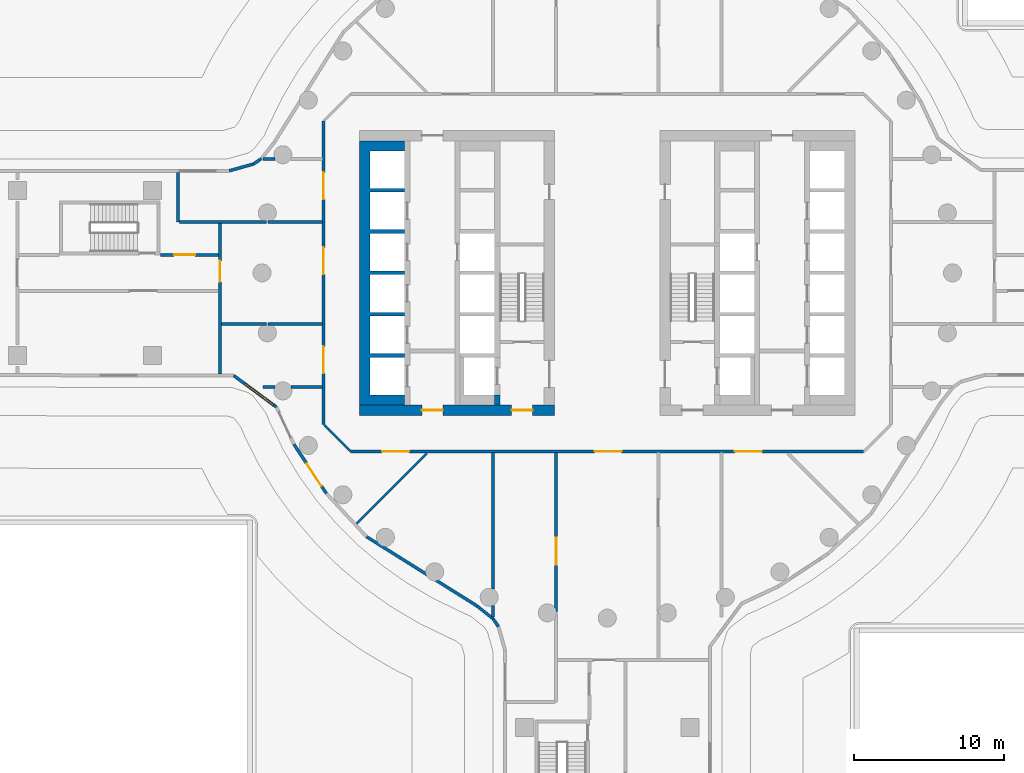
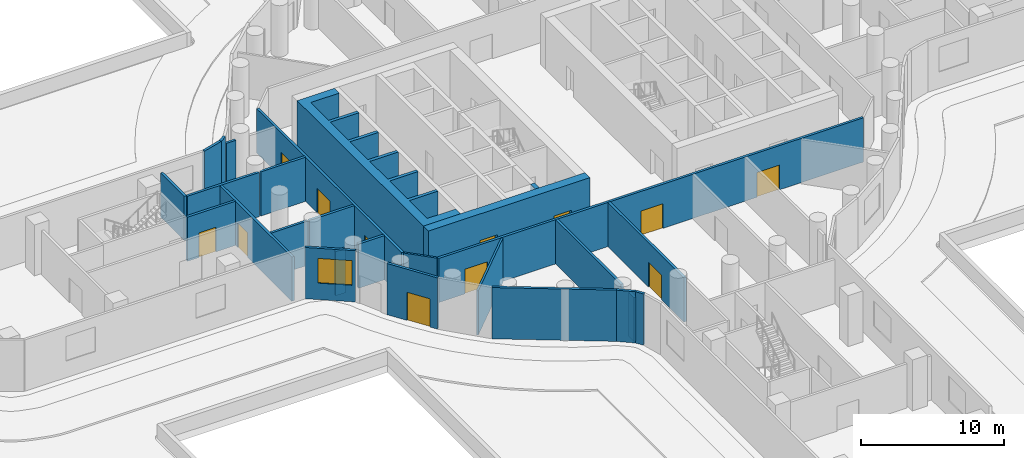
# One storey, part 23 of 37: 27 walls, 12 doors, 1 window, 13 openings.
"""IFC4 building model written with IfcOpenShell, lengths in metres."""

import ifcopenshell
import ifcopenshell.guid

model = None  # the IFC model being written
_history = None  # IfcOwnerHistory: only IFC2X3 demands one
_inside = {}  # id of a spatial element -> (the spatial element, [elements in it])
_under = {}  # id of a project, library or spatial element -> (it, [spatial elements below it])
_declared = {}  # id of a project -> (the project, [libraries it declares])
_typed = {}  # id of a type object -> (the type object, [elements of that type])
_made_of = {}  # id of a material, layer set ... -> (it, [elements and type objects made of it])


def new_model(schema):
    """Start an empty IFC model of exactly this schema.

    Asked for "IFC4X3", IfcOpenShell would pick the latest addendum, in which some entities
    have other attributes; the version numbers below select the first issue.
    IFC2X3 requires an IfcOwnerHistory on every rooted entity: one is made here for all.
    """
    global model, _history
    if schema == "IFC4X3":
        model = ifcopenshell.file(schema_version=(4, 3, 0, 0))
    else:
        model = ifcopenshell.file(schema=schema)
    _inside.clear()
    _under.clear()
    _declared.clear()
    _typed.clear()
    _made_of.clear()
    _history = None
    if model.schema == "IFC2X3":
        org = make("IfcOrganization", Name="unknown")
        user = make(
            "IfcPersonAndOrganization",
            ThePerson=make("IfcPerson", FamilyName="unknown"),
            TheOrganization=org,
        )
        app = make(
            "IfcApplication",
            ApplicationDeveloper=org,
            Version="unknown",
            ApplicationFullName="unknown",
            ApplicationIdentifier="unknown",
        )
        _history = make(
            "IfcOwnerHistory",
            OwningUser=user,
            OwningApplication=app,
            ChangeAction="ADDED",
            CreationDate=0,
        )
    return model


def make(cls, **values):
    """One entity of the class cls with the attributes given. An attribute that is None is left unset."""
    return model.create_entity(
        cls, **{name: value for name, value in values.items() if value is not None}
    )


def rooted(cls, **values):
    """An entity with a GlobalId (a new one), such as an element, a storey or a relation."""
    return make(cls, GlobalId=ifcopenshell.guid.new(), OwnerHistory=_history, **values)


def si_unit(unit_type, name, prefix=None):
    """IfcSIUnit, for example si_unit("LENGTHUNIT", "METRE", prefix="MILLI")."""
    return make("IfcSIUnit", UnitType=unit_type, Prefix=prefix, Name=name)


def assignment(units):
    """IfcUnitAssignment: the units of a project."""
    return None if units is None else make("IfcUnitAssignment", Units=units)


def point(xyz):
    """IfcCartesianPoint."""
    return None if xyz is None else make("IfcCartesianPoint", Coordinates=xyz)


def direction(xyz):
    """IfcDirection."""
    return None if xyz is None else make("IfcDirection", DirectionRatios=xyz)


def frame(location, z_axis=None, x_axis=None):
    """IfcAxis2Placement3D, a coordinate frame: its origin and axes. An axis left out is left unset."""
    return make(
        "IfcAxis2Placement3D",
        Location=point(location),
        Axis=direction(z_axis),
        RefDirection=direction(x_axis),
    )


def frame_2d(location, x_axis=None):
    """IfcAxis2Placement2D, a coordinate frame in the plane: its origin and x axis."""
    return make(
        "IfcAxis2Placement2D", Location=point(location), RefDirection=direction(x_axis)
    )


def origin():
    """The frame at (0, 0, 0) with its axes left unset."""
    return frame((0.0, 0.0, 0.0))


def place(relative_to, where):
    """IfcLocalPlacement: puts the frame where relative to a parent placement (None: the world)."""
    return make(
        "IfcLocalPlacement", PlacementRelTo=relative_to, RelativePlacement=where
    )


def context(
    kind, dimensions, precision=None, world=None, true_north=None, identifier=None
):
    """IfcGeometricRepresentationContext, for example the 3D "Model" context."""
    return make(
        "IfcGeometricRepresentationContext",
        ContextIdentifier=identifier,
        ContextType=kind,
        CoordinateSpaceDimension=dimensions,
        Precision=precision,
        WorldCoordinateSystem=world,
        TrueNorth=true_north,
    )


def subcontext(parent, identifier, kind, view, scale=None):
    """IfcGeometricRepresentationSubContext, for example "Body" below "Model"."""
    return make(
        "IfcGeometricRepresentationSubContext",
        ContextIdentifier=identifier,
        ContextType=kind,
        ParentContext=parent,
        TargetScale=scale,
        TargetView=view,
    )


def project(units=None, contexts=None):
    """IfcProject with its units and contexts."""
    return rooted(
        "IfcProject",
        Name="project",
        RepresentationContexts=contexts,
        UnitsInContext=assignment(units),
    )


def spatial(cls, under=None, at=None, **own):
    """A site, building, storey or space (cls), placed at a placement, below another one or the project."""
    s = rooted(cls, ObjectPlacement=at, **own)
    if under is not None:
        _under.setdefault(under.id(), (under, []))[1].append(s)
    return s


def polyline(points):
    """IfcPolyline through the points."""
    return make("IfcPolyline", Points=[point(p) for p in points])


def profile(cls, at=None, kind="AREA", **sizes):
    """A parametric profile (cls). Its sizes go by their IFC names, for example OverallWidth=200.0."""
    return make(cls, ProfileType=kind, Position=at, **sizes)


def rectangle(**sizes):
    """IfcRectangleProfileDef."""
    return profile("IfcRectangleProfileDef", **sizes)


def outline(outer, holes=None, kind="AREA"):
    """IfcArbitraryClosedProfileDef: a profile drawn as a closed curve; with holes, ...WithVoids."""
    if holes is None:
        return make("IfcArbitraryClosedProfileDef", ProfileType=kind, OuterCurve=outer)
    return make(
        "IfcArbitraryProfileDefWithVoids",
        ProfileType=kind,
        OuterCurve=outer,
        InnerCurves=holes,
    )


def extrude(swept, where, along, depth):
    """IfcExtrudedAreaSolid: the profile swept, set in the frame where, extruded along a direction by depth."""
    return make(
        "IfcExtrudedAreaSolid",
        SweptArea=swept,
        Position=where,
        ExtrudedDirection=direction(along),
        Depth=depth,
    )


def shape(context_of_items, identifier, shape_type, items):
    """IfcShapeRepresentation: the items that make up one representation, for example the "Body"."""
    return make(
        "IfcShapeRepresentation",
        ContextOfItems=context_of_items,
        RepresentationIdentifier=identifier,
        RepresentationType=shape_type,
        Items=items,
    )


def material(Name=None, Category=None):
    """IfcMaterial."""
    return make("IfcMaterial", Name=Name, Category=Category)


def layer(
    of_material, thickness, ventilated=None, Name=None, Category=None, Priority=None
):
    """IfcMaterialLayer: one layer of a wall or slab, of a material (None: an air gap)."""
    return make(
        "IfcMaterialLayer",
        Material=of_material,
        LayerThickness=thickness,
        IsVentilated=ventilated,
        Name=Name,
        Category=Category,
        Priority=Priority,
    )


def layer_set(layers, Name=None):
    """IfcMaterialLayerSet."""
    return make("IfcMaterialLayerSet", MaterialLayers=layers, LayerSetName=Name)


def made_of(thing, what):
    """Note that an element or type object is made of a material, layer set ...; save() writes the relation."""
    if what is not None:
        _made_of.setdefault(what.id(), (what, []))[1].append(thing)
    return thing


def type_object(cls, material=None, **own):
    """A type object (cls), such as IfcWallType, which elements share."""
    return made_of(rooted(cls, **own), material)


def element(
    cls,
    number,
    at=None,
    inside=None,
    cuts=None,
    type_object=None,
    material=None,
    context=None,
    identifier="Body",
    shape_type=None,
    held_by="IfcProductDefinitionShape",
    body=None,
    shapes=None,
    **own,
):
    """One element of the class cls, such as IfcWall. Its Tag is "e" and its number.

    at: its placement. inside: the storey or other place that contains it. cuts: it is an
    opening in that element (IfcRelVoidsElement). A single representation is given by context,
    identifier, shape_type and body (its items); several are given by shapes. held_by: the class
    of the entity that holds the representations. save() writes the other relations.
    """
    e = rooted(cls, Tag="e%d" % number, ObjectPlacement=at, **own)
    if body is not None:
        shapes = [shape(context, identifier, shape_type, body)]
    if shapes is not None:
        e.Representation = make(held_by, Representations=shapes)
    if inside is not None:
        _inside.setdefault(inside.id(), (inside, []))[1].append(e)
    if cuts is not None:
        rooted(
            "IfcRelVoidsElement", RelatingBuildingElement=cuts, RelatedOpeningElement=e
        )
    if type_object is not None:
        _typed.setdefault(type_object.id(), (type_object, []))[1].append(e)
    return made_of(e, material)


def fill(opening, filler):
    """IfcRelFillsElement: the door or window that sits in an opening."""
    return rooted(
        "IfcRelFillsElement",
        RelatingOpeningElement=opening,
        RelatedBuildingElement=filler,
    )


def aggregate(whole, parts):
    """IfcRelAggregates: a whole, such as a stair, and the parts it consists of."""
    return rooted("IfcRelAggregates", RelatingObject=whole, RelatedObjects=parts)


def save(model, path):
    """Write the relations noted so far, then the file.

    IfcRelAggregates (storeys below a building ...), IfcRelContainedInSpatialStructure (elements
    in a storey), IfcRelDefinesByType, IfcRelAssociatesMaterial and IfcRelDeclares: one each for
    every whole, place, type object, material and project.
    """
    for whole, parts in _under.values():
        aggregate(whole, parts)
    for where, things in _inside.values():
        rooted(
            "IfcRelContainedInSpatialStructure",
            RelatedElements=things,
            RelatingStructure=where,
        )
    for kind, things in _typed.values():
        rooted("IfcRelDefinesByType", RelatedObjects=things, RelatingType=kind)
    for what, things in _made_of.values():
        rooted("IfcRelAssociatesMaterial", RelatedObjects=things, RelatingMaterial=what)
    for by, libraries in _declared.values():
        rooted("IfcRelDeclares", RelatingContext=by, RelatedDefinitions=libraries)
    model.write(path)


model = new_model("IFC4")

# Units and contexts
model_context = context("Model", 3, precision=1e-05, world=origin(), true_north=direction((0.0, 1.0)))
body_context = subcontext(model_context, "Body", "Model", "MODEL_VIEW")
ifc_project = project(units=[si_unit("LENGTHUNIT", "METRE"), si_unit("AREAUNIT", "SQUARE_METRE"), si_unit("VOLUMEUNIT", "CUBIC_METRE"), si_unit("PLANEANGLEUNIT", "RADIAN"), si_unit("MASSUNIT", "GRAM", prefix="KILO")], contexts=[model_context])

# Site, building, storey
site_placement = place(None, origin())
site = spatial("IfcSite", under=ifc_project, at=site_placement, CompositionType="ELEMENT")
building_placement = place(site_placement, origin())
building = spatial("IfcBuilding", under=site, at=building_placement, Name="Tamarind Cross Interchange Tower", CompositionType="ELEMENT")
storey_placement = place(building_placement, frame((0.0, 0.0, 29.5)))
storey = spatial("IfcBuildingStorey", under=building, at=storey_placement, Name="L05", CompositionType="ELEMENT", Elevation=29.5)

# Wall, openings, doors
ifc_material_1 = material(Name="Concrete C80", Category="concrete")
ifc_layer_1 = layer(ifc_material_1, 0.699951171875)
ifc_layer_set_1 = layer_set([ifc_layer_1], Name="Concrete C80")
wall_type_1 = type_object("IfcWallType", Name="Core wall 700 mm Concrete C80", PredefinedType="SHEAR", material=ifc_layer_set_1)
wall_1_placement = place(storey_placement, frame((-16.5, -9.14990234375, 0.0), z_axis=(0.0, 0.0, 1.0), x_axis=(1.0, 0.0, 0.0)))
wall_1 = element("IfcWall", 1, at=wall_1_placement, inside=storey, type_object=wall_type_1, Name="Core wall CWL-L05-W-S", PredefinedType="SHEAR", context=body_context, shape_type="SweptSolid", body=[
    extrude(rectangle(XDim=13.0, YDim=0.699951171875, at=frame_2d((6.5, 0.0))), origin(), (0.0, 0.0, 1.0), 4.360107421875),
])
opening_1_placement = place(wall_1_placement, frame((4.14990234375, 0.0, 0.0)))
opening_1 = element("IfcOpeningElement", 2, at=opening_1_placement, cuts=wall_1, Name="Opening DCW1", PredefinedType="OPENING", context=body_context, shape_type="SweptSolid", body=[
    extrude(rectangle(XDim=1.39990234375, YDim=2.10009765625, at=frame_2d((0.699951171875, 1.050048828125))), frame((0.0, 0.35986328125, 0.0), z_axis=(0.0, -1.0, 0.0), x_axis=(1.0, 0.0, 0.0)), (0.0, 0.0, 1.0), 0.719970703125),
])
opening_2_placement = place(wall_1_placement, frame((10.125, 0.0, 0.0)))
opening_2 = element("IfcOpeningElement", 3, at=opening_2_placement, cuts=wall_1, Name="Opening DCWF", PredefinedType="OPENING", context=body_context, shape_type="SweptSolid", body=[
    extrude(rectangle(XDim=1.39990234375, YDim=2.10009765625, at=frame_2d((0.699951171875, 1.050048828125))), frame((0.0, 0.35986328125, 0.0), z_axis=(0.0, -1.0, 0.0), x_axis=(1.0, 0.0, 0.0)), (0.0, 0.0, 1.0), 0.719970703125),
])
ifc_material_2 = material(Name="Steel, fire-resisting", Category="steel")
door_type_1 = type_object("IfcDoorType", Name="Core fire door 1400 x 2100 FD90", OperationType="SINGLE_SWING_LEFT", PredefinedType="DOOR", material=ifc_material_2)
door_1_placement = place(opening_1_placement, origin())
door_1 = element("IfcDoor", 4, at=door_1_placement, inside=storey, type_object=door_type_1, Name="L05 lift lobby door", OperationType="SINGLE_SWING_LEFT", OverallHeight=2.10009765625, OverallWidth=1.39990234375, PredefinedType="DOOR", context=body_context, shape_type="SweptSolid", body=[
    extrude(rectangle(XDim=1.39990234375, YDim=2.10009765625, at=frame_2d((0.699951171875, 1.050048828125))), frame((0.0, 0.02490234375, 0.0), z_axis=(0.0, -1.0, 0.0), x_axis=(1.0, 0.0, 0.0)), (0.0, 0.0, 1.0), 0.050048828125),
])
fill(opening_1, door_1)
door_2_placement = place(opening_2_placement, origin())
door_2 = element("IfcDoor", 5, at=door_2_placement, inside=storey, type_object=door_type_1, Name="L05 firefighting lobby end door", OperationType="SINGLE_SWING_LEFT", OverallHeight=2.10009765625, OverallWidth=1.39990234375, PredefinedType="DOOR", context=body_context, shape_type="SweptSolid", body=[
    extrude(rectangle(XDim=1.39990234375, YDim=2.10009765625, at=frame_2d((0.699951171875, 1.050048828125))), frame((0.0, 0.02490234375, 0.0), z_axis=(0.0, -1.0, 0.0), x_axis=(1.0, 0.0, 0.0)), (0.0, 0.0, 1.0), 0.050048828125),
])
fill(opening_2, door_2)

# Walls
wall_2_placement = place(storey_placement, origin())
element("IfcWall", 6, at=wall_2_placement, inside=storey, type_object=wall_type_1, Name="Core wall CWL-L05-W-A", PredefinedType="SHEAR", context=body_context, shape_type="SweptSolid", body=[
    extrude(outline(polyline([(-13.5, -8.800048828125), (-13.5, -8.125), (-15.800048828125, -8.125), (-15.800048828125, -5.625), (-13.5, -5.625), (-13.5, -5.375), (-15.800048828125, -5.375), (-15.800048828125, -2.875), (-13.5, -2.875), (-13.5, -2.625), (-15.800048828125, -2.625), (-15.800048828125, -0.125), (-13.5, -0.125), (-13.5, 0.125), (-15.800048828125, 0.125), (-15.800048828125, 2.625), (-13.5, 2.625), (-13.5, 2.875), (-15.800048828125, 2.875), (-15.800048828125, 5.375), (-13.5, 5.375), (-13.5, 5.625), (-15.800048828125, 5.625), (-15.800048828125, 8.125), (-13.5, 8.125), (-13.5, 8.800048828125), (-15.800048828125, 8.800048828125), (-16.5, 8.800048828125), (-16.5, -8.800048828125), (-15.800048828125, -8.800048828125), (-13.5, -8.800048828125)])), origin(), (0.0, 0.0, 1.0), 4.360107421875),
])
ifc_layer_2 = layer(ifc_material_1, 0.35009765625)
ifc_layer_set_2 = layer_set([ifc_layer_2], Name="Concrete C80")
wall_type_2 = type_object("IfcWallType", Name="Core web wall 350 mm Concrete C80", PredefinedType="SHEAR", material=ifc_layer_set_2)
wall_3_placement = place(storey_placement, frame((-7.324951171875, -8.800048828125, 0.0), z_axis=(0.0, 0.0, 1.0), x_axis=(0.0, 1.0, 0.0)))
element("IfcWall", 7, at=wall_3_placement, inside=storey, type_object=wall_type_2, Name="Core wall CWL-L05-W-BW", PredefinedType="SHEAR", context=body_context, shape_type="SweptSolid", body=[
    extrude(rectangle(XDim=0.675048828125, YDim=0.35009765625, at=frame_2d((0.33740234375, 0.0))), origin(), (0.0, 0.0, 1.0), 4.360107421875),
])
ifc_material_3 = material(Name="Gypsum board partition on steel studs", Category="steel")
ifc_layer_3 = layer(ifc_material_3, 0.14990234375)
ifc_layer_set_3 = layer_set([ifc_layer_3], Name="Gypsum board partition on steel studs")
wall_type_3 = type_object("IfcWallType", Name="Partition 150 mm EI 120", PredefinedType="PARTITIONING", material=ifc_layer_set_3)
wall_4_placement = place(storey_placement, frame((-18.864501953125, -10.135498046875, 0.0), z_axis=(0.0, 0.0, 1.0), x_axis=(0.707106781187, -0.707106781187, 0.0)))
element("IfcWall", 8, at=wall_4_placement, inside=storey, type_object=wall_type_3, Name="Partition L05-001", PredefinedType="PARTITIONING", context=body_context, shape_type="SweptSolid", body=[
    extrude(rectangle(XDim=2.445068359375, YDim=0.14990234375, at=frame_2d((1.22265625, 0.0))), origin(), (0.0, 0.0, 1.0), 3.760009765625),
])
wall_5_placement = place(storey_placement, frame((-16.740478515625, -16.740478515625, 0.0), z_axis=(0.0, 0.0, 1.0), x_axis=(0.707106781187, 0.707106781187, 0.0)))
element("IfcWall", 9, at=wall_5_placement, inside=storey, type_object=wall_type_3, Name="Partition L05-045", PredefinedType="PARTITIONING", context=body_context, shape_type="SweptSolid", body=[
    extrude(rectangle(XDim=6.6552734375, YDim=0.14990234375, at=frame_2d((3.32763671875, 0.0))), origin(), (0.0, 0.0, 1.0), 3.760009765625),
])

# Wall, opening, door
ifc_layer_4 = layer(ifc_material_3, 0.199951171875)
ifc_layer_set_4 = layer_set([ifc_layer_4], Name="Gypsum board partition on steel studs")
wall_type_4 = type_object("IfcWallType", Name="Partition 200 mm EI 180", PredefinedType="PARTITIONING", material=ifc_layer_set_4)
wall_6_placement = place(storey_placement, frame((-29.760009765625, 1.199951171875, 0.0), z_axis=(0.0, 0.0, 1.0), x_axis=(1.0, 0.0, 0.0)))
wall_6 = element("IfcWall", 10, at=wall_6_placement, inside=storey, type_object=wall_type_4, Name="Partition L05-009", PredefinedType="PARTITIONING", context=body_context, shape_type="SweptSolid", body=[
    extrude(rectangle(XDim=3.875, YDim=0.199951171875, at=frame_2d((1.9375, 0.0))), origin(), (0.0, 0.0, 1.0), 3.760009765625),
])
opening_3_placement = place(wall_6_placement, frame((0.89990234375, 0.0, 0.0)))
opening_3 = element("IfcOpeningElement", 11, at=opening_3_placement, cuts=wall_6, Name="Opening D03", PredefinedType="OPENING", context=body_context, shape_type="SweptSolid", body=[
    extrude(rectangle(XDim=1.39990234375, YDim=2.10009765625, at=frame_2d((0.699951171875, 1.050048828125))), frame((0.0, 0.10986328125, 0.0), z_axis=(0.0, -1.0, 0.0), x_axis=(1.0, 0.0, 0.0)), (0.0, 0.0, 1.0), 0.219970703125),
])
ifc_material_4 = material(Name="Fire-resisting door set")
door_type_2 = type_object("IfcDoorType", Name="Interior door 1400 x 2100 FD120S", OperationType="DOUBLE_DOOR_SINGLE_SWING", PredefinedType="DOOR", material=ifc_material_4)
door_3_placement = place(opening_3_placement, origin())
door_3 = element("IfcDoor", 12, at=door_3_placement, inside=storey, type_object=door_type_2, Name="Door D03", OperationType="DOUBLE_DOOR_SINGLE_SWING", OverallHeight=2.10009765625, OverallWidth=1.39990234375, PredefinedType="DOOR", context=body_context, shape_type="SweptSolid", body=[
    extrude(rectangle(XDim=1.39990234375, YDim=2.10009765625, at=frame_2d((0.699951171875, 1.050048828125))), frame((0.0, 0.02490234375, 0.0), z_axis=(0.0, -1.0, 0.0), x_axis=(1.0, 0.0, 0.0)), (0.0, 0.0, 1.0), 0.050048828125),
])
fill(opening_3, door_3)

# Walls
wall_7_placement = place(storey_placement, frame((-28.514892578125, 3.39990234375, 0.0), z_axis=(0.0, 0.0, 1.0), x_axis=(1.0, 0.0, 0.0)))
element("IfcWall", 13, at=wall_7_placement, inside=storey, type_object=wall_type_4, Name="Partition L05-011", PredefinedType="PARTITIONING", context=body_context, shape_type="SweptSolid", body=[
    extrude(rectangle(XDim=5.80419921875, YDim=0.199951171875, at=frame_2d((2.902099609375, 0.0))), origin(), (0.0, 0.0, 1.0), 3.760009765625),
])
wall_8_placement = place(storey_placement, frame((-22.590576171875, 3.39990234375, 0.0), z_axis=(0.0, 0.0, 1.0), x_axis=(1.0, 0.0, 0.0)))
element("IfcWall", 14, at=wall_8_placement, inside=storey, type_object=wall_type_4, Name="Partition L05-012", PredefinedType="PARTITIONING", context=body_context, shape_type="SweptSolid", body=[
    extrude(rectangle(XDim=3.60546875, YDim=0.199951171875, at=frame_2d((1.802734375, 0.0))), origin(), (0.0, 0.0, 1.0), 3.760009765625),
])
wall_9_placement = place(storey_placement, frame((-25.715087890625, -3.39990234375, 0.0), z_axis=(0.0, 0.0, 1.0), x_axis=(1.0, 0.0, 0.0)))
element("IfcWall", 15, at=wall_9_placement, inside=storey, type_object=wall_type_4, Name="Partition L05-015", PredefinedType="PARTITIONING", context=body_context, shape_type="SweptSolid", body=[
    extrude(rectangle(XDim=3.00439453125, YDim=0.199951171875, at=frame_2d((1.502197265625, 0.0))), origin(), (0.0, 0.0, 1.0), 3.760009765625),
])
wall_10_placement = place(storey_placement, frame((-22.590576171875, -3.39990234375, 0.0), z_axis=(0.0, 0.0, 1.0), x_axis=(1.0, 0.0, 0.0)))
element("IfcWall", 16, at=wall_10_placement, inside=storey, type_object=wall_type_4, Name="Partition L05-016", PredefinedType="PARTITIONING", context=body_context, shape_type="SweptSolid", body=[
    extrude(rectangle(XDim=3.60546875, YDim=0.199951171875, at=frame_2d((1.802734375, 0.0))), origin(), (0.0, 0.0, 1.0), 3.760009765625),
])
wall_11_placement = place(storey_placement, frame((-22.921875, -7.60009765625, 0.0), z_axis=(0.0, 0.0, 1.0), x_axis=(1.0, 0.0, 0.0)))
element("IfcWall", 17, at=wall_11_placement, inside=storey, type_object=wall_type_4, Name="Partition L05-019", PredefinedType="PARTITIONING", context=body_context, shape_type="SweptSolid", body=[
    extrude(rectangle(XDim=0.770263671875, YDim=0.199951171875, at=frame_2d((0.38525390625, 0.0))), origin(), (0.0, 0.0, 1.0), 3.760009765625),
])
wall_12_placement = place(storey_placement, frame((-21.07421875, -7.60009765625, 0.0), z_axis=(0.0, 0.0, 1.0), x_axis=(1.0, 0.0, 0.0)))
element("IfcWall", 18, at=wall_12_placement, inside=storey, type_object=wall_type_4, Name="Partition L05-020", PredefinedType="PARTITIONING", context=body_context, shape_type="SweptSolid", body=[
    extrude(rectangle(XDim=2.089111328125, YDim=0.199951171875, at=frame_2d((1.04443359375, 0.0))), origin(), (0.0, 0.0, 1.0), 3.760009765625),
])
wall_13_placement = place(storey_placement, frame((-22.920654296875, 7.60009765625, 0.0), z_axis=(0.0, 0.0, 1.0), x_axis=(1.0, 0.0, 0.0)))
element("IfcWall", 19, at=wall_13_placement, inside=storey, type_object=wall_type_4, Name="Partition L05-023", PredefinedType="PARTITIONING", context=body_context, shape_type="SweptSolid", body=[
    extrude(rectangle(XDim=0.76904296875, YDim=0.199951171875, at=frame_2d((0.384521484375, 0.0))), origin(), (0.0, 0.0, 1.0), 3.760009765625),
])

# Wall, openings, doors
wall_14_placement = place(storey_placement, frame((-17.10009765625, -11.89990234375, 0.0), z_axis=(0.0, 0.0, 1.0), x_axis=(1.0, 0.0, 0.0)))
wall_14 = element("IfcWall", 20, at=wall_14_placement, inside=storey, type_object=wall_type_4, Name="Partition L05-027", PredefinedType="PARTITIONING", context=body_context, shape_type="SweptSolid", body=[
    extrude(rectangle(XDim=34.1650390625, YDim=0.199951171875, at=frame_2d((17.08251953125, 0.0))), origin(), (0.0, 0.0, 1.0), 3.760009765625),
])
opening_4_placement = place(wall_14_placement, frame((16.25, 0.0, 0.0)))
opening_4 = element("IfcOpeningElement", 21, at=opening_4_placement, cuts=wall_14, Name="Opening D05", PredefinedType="OPENING", context=body_context, shape_type="SweptSolid", body=[
    extrude(rectangle(XDim=1.800048828125, YDim=2.10009765625, at=frame_2d((0.89990234375, 1.050048828125))), frame((0.0, 0.10986328125, 0.0), z_axis=(0.0, -1.0, 0.0), x_axis=(1.0, 0.0, 0.0)), (0.0, 0.0, 1.0), 0.219970703125),
])
opening_5_placement = place(wall_14_placement, frame((2.10009765625, 0.0, 0.0)))
opening_5 = element("IfcOpeningElement", 22, at=opening_5_placement, cuts=wall_14, Name="Opening D06", PredefinedType="OPENING", context=body_context, shape_type="SweptSolid", body=[
    extrude(rectangle(XDim=1.800048828125, YDim=2.10009765625, at=frame_2d((0.89990234375, 1.050048828125))), frame((0.0, 0.10986328125, 0.0), z_axis=(0.0, -1.0, 0.0), x_axis=(1.0, 0.0, 0.0)), (0.0, 0.0, 1.0), 0.219970703125),
])
opening_6_placement = place(wall_14_placement, frame((25.60009765625, 0.0, 0.0)))
opening_6 = element("IfcOpeningElement", 23, at=opening_6_placement, cuts=wall_14, Name="Opening D07", PredefinedType="OPENING", context=body_context, shape_type="SweptSolid", body=[
    extrude(rectangle(XDim=1.800048828125, YDim=2.10009765625, at=frame_2d((0.89990234375, 1.050048828125))), frame((0.0, 0.10986328125, 0.0), z_axis=(0.0, -1.0, 0.0), x_axis=(1.0, 0.0, 0.0)), (0.0, 0.0, 1.0), 0.219970703125),
])
door_type_3 = type_object("IfcDoorType", Name="Interior door 1800 x 2100 FD120S", OperationType="DOUBLE_DOOR_SINGLE_SWING", PredefinedType="DOOR", material=ifc_material_4)
door_4_placement = place(opening_4_placement, origin())
door_4 = element("IfcDoor", 24, at=door_4_placement, inside=storey, type_object=door_type_3, Name="Door D05", OperationType="DOUBLE_DOOR_SINGLE_SWING", OverallHeight=2.10009765625, OverallWidth=1.800048828125, PredefinedType="DOOR", context=body_context, shape_type="SweptSolid", body=[
    extrude(rectangle(XDim=1.800048828125, YDim=2.10009765625, at=frame_2d((0.89990234375, 1.050048828125))), frame((0.0, 0.02490234375, 0.0), z_axis=(0.0, -1.0, 0.0), x_axis=(1.0, 0.0, 0.0)), (0.0, 0.0, 1.0), 0.050048828125),
])
fill(opening_4, door_4)
door_5_placement = place(opening_5_placement, origin())
door_5 = element("IfcDoor", 25, at=door_5_placement, inside=storey, type_object=door_type_3, Name="Door D06", OperationType="DOUBLE_DOOR_SINGLE_SWING", OverallHeight=2.10009765625, OverallWidth=1.800048828125, PredefinedType="DOOR", context=body_context, shape_type="SweptSolid", body=[
    extrude(rectangle(XDim=1.800048828125, YDim=2.10009765625, at=frame_2d((0.89990234375, 1.050048828125))), frame((0.0, 0.02490234375, 0.0), z_axis=(0.0, -1.0, 0.0), x_axis=(1.0, 0.0, 0.0)), (0.0, 0.0, 1.0), 0.050048828125),
])
fill(opening_5, door_5)
door_6_placement = place(opening_6_placement, frame((1.800048828125, 0.0, 0.0), z_axis=(0.0, 0.0, 1.0), x_axis=(-1.0, 0.0, 0.0)))
door_6 = element("IfcDoor", 26, at=door_6_placement, inside=storey, type_object=door_type_3, Name="Door D07", OperationType="DOUBLE_DOOR_SINGLE_SWING", OverallHeight=2.10009765625, OverallWidth=1.800048828125, PredefinedType="DOOR", context=body_context, shape_type="SweptSolid", body=[
    extrude(rectangle(XDim=1.800048828125, YDim=2.10009765625, at=frame_2d((0.89990234375, 1.050048828125))), frame((0.0, 0.02490234375, 0.0), z_axis=(0.0, -1.0, 0.0), x_axis=(1.0, 0.0, 0.0)), (0.0, 0.0, 1.0), 0.050048828125),
])
fill(opening_6, door_6)

# Wall
wall_15_placement = place(storey_placement, frame((-28.60009765625, 3.39990234375, 0.0), z_axis=(0.0, 0.0, 1.0), x_axis=(0.0, 1.0, 0.0)))
element("IfcWall", 27, at=wall_15_placement, inside=storey, type_object=wall_type_4, Name="Partition L05-051", PredefinedType="PARTITIONING", context=body_context, shape_type="SweptSolid", body=[
    extrude(rectangle(XDim=3.299072265625, YDim=0.199951171875, at=frame_2d((1.6494140625, 0.0))), origin(), (0.0, 0.0, 1.0), 3.760009765625),
])

# Wall, opening, door
wall_16_placement = place(storey_placement, frame((-25.800048828125, -6.74169921875, 0.0), z_axis=(0.0, 0.0, 1.0), x_axis=(0.0, 1.0, 0.0)))
wall_16 = element("IfcWall", 28, at=wall_16_placement, inside=storey, type_object=wall_type_4, Name="Partition L05-052", PredefinedType="PARTITIONING", context=body_context, shape_type="SweptSolid", body=[
    extrude(rectangle(XDim=10.056640625, YDim=0.199951171875, at=frame_2d((5.0283203125, 0.0))), origin(), (0.0, 0.0, 1.0), 3.760009765625),
])
opening_7_placement = place(wall_16_placement, frame((6.1416015625, 0.0, 0.0)))
opening_7 = element("IfcOpeningElement", 29, at=opening_7_placement, cuts=wall_16, Name="Opening D18", PredefinedType="OPENING", context=body_context, shape_type="SweptSolid", body=[
    extrude(rectangle(XDim=1.39990234375, YDim=2.10009765625, at=frame_2d((0.699951171875, 1.050048828125))), frame((0.0, 0.10986328125, 0.0), z_axis=(0.0, -1.0, 0.0), x_axis=(1.0, 0.0, 0.0)), (0.0, 0.0, 1.0), 0.219970703125),
])
door_7_placement = place(opening_7_placement, frame((1.39990234375, 0.0, 0.0), z_axis=(0.0, 0.0, 1.0), x_axis=(-1.0, 0.0, 0.0)))
door_7 = element("IfcDoor", 30, at=door_7_placement, inside=storey, type_object=door_type_2, Name="Door D18", OperationType="DOUBLE_DOOR_SINGLE_SWING", OverallHeight=2.10009765625, OverallWidth=1.39990234375, PredefinedType="DOOR", context=body_context, shape_type="SweptSolid", body=[
    extrude(rectangle(XDim=1.39990234375, YDim=2.10009765625, at=frame_2d((0.699951171875, 1.050048828125))), frame((0.0, 0.02490234375, 0.0), z_axis=(0.0, -1.0, 0.0), x_axis=(1.0, 0.0, 0.0)), (0.0, 0.0, 1.0), 0.050048828125),
])
fill(opening_7, door_7)

# Wall, openings, doors
wall_17_placement = place(storey_placement, frame((-18.89990234375, -10.10009765625, 0.0), z_axis=(0.0, 0.0, 1.0), x_axis=(0.0, 1.0, 0.0)))
wall_17 = element("IfcWall", 31, at=wall_17_placement, inside=storey, type_object=wall_type_4, Name="Partition L05-053", PredefinedType="PARTITIONING", context=body_context, shape_type="SweptSolid", body=[
    extrude(rectangle(XDim=20.2001953125, YDim=0.199951171875, at=frame_2d((10.10009765625, 0.0))), origin(), (0.0, 0.0, 1.0), 3.760009765625),
])
opening_8_placement = place(wall_17_placement, frame((10.0, 0.0, 0.0)))
opening_8 = element("IfcOpeningElement", 32, at=opening_8_placement, cuts=wall_17, Name="Opening D19", PredefinedType="OPENING", context=body_context, shape_type="SweptSolid", body=[
    extrude(rectangle(XDim=1.800048828125, YDim=2.10009765625, at=frame_2d((0.89990234375, 1.050048828125))), frame((0.0, 0.10986328125, 0.0), z_axis=(0.0, -1.0, 0.0), x_axis=(1.0, 0.0, 0.0)), (0.0, 0.0, 1.0), 0.219970703125),
])
opening_9_placement = place(wall_17_placement, frame((3.39990234375, 0.0, 0.0)))
opening_9 = element("IfcOpeningElement", 33, at=opening_9_placement, cuts=wall_17, Name="Opening D20", PredefinedType="OPENING", context=body_context, shape_type="SweptSolid", body=[
    extrude(rectangle(XDim=1.800048828125, YDim=2.10009765625, at=frame_2d((0.89990234375, 1.050048828125))), frame((0.0, 0.10986328125, 0.0), z_axis=(0.0, -1.0, 0.0), x_axis=(1.0, 0.0, 0.0)), (0.0, 0.0, 1.0), 0.219970703125),
])
opening_10_placement = place(wall_17_placement, frame((15.0, 0.0, 0.0)))
opening_10 = element("IfcOpeningElement", 34, at=opening_10_placement, cuts=wall_17, Name="Opening D21", PredefinedType="OPENING", context=body_context, shape_type="SweptSolid", body=[
    extrude(rectangle(XDim=1.800048828125, YDim=2.10009765625, at=frame_2d((0.89990234375, 1.050048828125))), frame((0.0, 0.10986328125, 0.0), z_axis=(0.0, -1.0, 0.0), x_axis=(1.0, 0.0, 0.0)), (0.0, 0.0, 1.0), 0.219970703125),
])
door_8_placement = place(opening_8_placement, frame((1.800048828125, 0.0, 0.0), z_axis=(0.0, 0.0, 1.0), x_axis=(-1.0, 0.0, 0.0)))
door_8 = element("IfcDoor", 35, at=door_8_placement, inside=storey, type_object=door_type_3, Name="Door D19", OperationType="DOUBLE_DOOR_SINGLE_SWING", OverallHeight=2.10009765625, OverallWidth=1.800048828125, PredefinedType="DOOR", context=body_context, shape_type="SweptSolid", body=[
    extrude(rectangle(XDim=1.800048828125, YDim=2.10009765625, at=frame_2d((0.89990234375, 1.050048828125))), frame((0.0, 0.02490234375, 0.0), z_axis=(0.0, -1.0, 0.0), x_axis=(1.0, 0.0, 0.0)), (0.0, 0.0, 1.0), 0.050048828125),
])
fill(opening_8, door_8)
door_9_placement = place(opening_9_placement, origin())
door_9 = element("IfcDoor", 36, at=door_9_placement, inside=storey, type_object=door_type_3, Name="Door D20", OperationType="DOUBLE_DOOR_SINGLE_SWING", OverallHeight=2.10009765625, OverallWidth=1.800048828125, PredefinedType="DOOR", context=body_context, shape_type="SweptSolid", body=[
    extrude(rectangle(XDim=1.800048828125, YDim=2.10009765625, at=frame_2d((0.89990234375, 1.050048828125))), frame((0.0, 0.02490234375, 0.0), z_axis=(0.0, -1.0, 0.0), x_axis=(1.0, 0.0, 0.0)), (0.0, 0.0, 1.0), 0.050048828125),
])
fill(opening_9, door_9)
door_10_placement = place(opening_10_placement, origin())
door_10 = element("IfcDoor", 37, at=door_10_placement, inside=storey, type_object=door_type_3, Name="Door D21", OperationType="DOUBLE_DOOR_SINGLE_SWING", OverallHeight=2.10009765625, OverallWidth=1.800048828125, PredefinedType="DOOR", context=body_context, shape_type="SweptSolid", body=[
    extrude(rectangle(XDim=1.800048828125, YDim=2.10009765625, at=frame_2d((0.89990234375, 1.050048828125))), frame((0.0, 0.02490234375, 0.0), z_axis=(0.0, -1.0, 0.0), x_axis=(1.0, 0.0, 0.0)), (0.0, 0.0, 1.0), 0.050048828125),
])
fill(opening_10, door_10)

# Walls
wall_18_placement = place(storey_placement, frame((-7.60009765625, -22.920654296875, 0.0), z_axis=(0.0, 0.0, 1.0), x_axis=(0.0, 1.0, 0.0)))
element("IfcWall", 38, at=wall_18_placement, inside=storey, type_object=wall_type_4, Name="Partition L05-054", PredefinedType="PARTITIONING", context=body_context, shape_type="SweptSolid", body=[
    extrude(rectangle(XDim=0.76904296875, YDim=0.199951171875, at=frame_2d((0.384521484375, 0.0))), origin(), (0.0, 0.0, 1.0), 3.760009765625),
])
wall_19_placement = place(storey_placement, frame((-7.60009765625, -21.07421875, 0.0), z_axis=(0.0, 0.0, 1.0), x_axis=(0.0, 1.0, 0.0)))
element("IfcWall", 39, at=wall_19_placement, inside=storey, type_object=wall_type_4, Name="Partition L05-055", PredefinedType="PARTITIONING", context=body_context, shape_type="SweptSolid", body=[
    extrude(rectangle(XDim=9.09423828125, YDim=0.199951171875, at=frame_2d((4.547119140625, 0.0))), origin(), (0.0, 0.0, 1.0), 3.760009765625),
])

# Wall, opening, door
wall_20_placement = place(storey_placement, frame((-3.39990234375, -22.590576171875, 0.0), z_axis=(0.0, 0.0, 1.0), x_axis=(0.0, 1.0, 0.0)))
wall_20 = element("IfcWall", 40, at=wall_20_placement, inside=storey, type_object=wall_type_4, Name="Partition L05-059", PredefinedType="PARTITIONING", context=body_context, shape_type="SweptSolid", body=[
    extrude(rectangle(XDim=10.610595703125, YDim=0.199951171875, at=frame_2d((5.30517578125, 0.0))), origin(), (0.0, 0.0, 1.0), 3.760009765625),
])
opening_11_placement = place(wall_20_placement, frame((3.14990234375, 0.0, 0.0)))
opening_11 = element("IfcOpeningElement", 41, at=opening_11_placement, cuts=wall_20, Name="Opening D22", PredefinedType="OPENING", context=body_context, shape_type="SweptSolid", body=[
    extrude(rectangle(XDim=1.800048828125, YDim=2.10009765625, at=frame_2d((0.89990234375, 1.050048828125))), frame((0.0, 0.10986328125, 0.0), z_axis=(0.0, -1.0, 0.0), x_axis=(1.0, 0.0, 0.0)), (0.0, 0.0, 1.0), 0.219970703125),
])
door_11_placement = place(opening_11_placement, origin())
door_11 = element("IfcDoor", 42, at=door_11_placement, inside=storey, type_object=door_type_3, Name="Door D22", OperationType="DOUBLE_DOOR_SINGLE_SWING", OverallHeight=2.10009765625, OverallWidth=1.800048828125, PredefinedType="DOOR", context=body_context, shape_type="SweptSolid", body=[
    extrude(rectangle(XDim=1.800048828125, YDim=2.10009765625, at=frame_2d((0.89990234375, 1.050048828125))), frame((0.0, 0.02490234375, 0.0), z_axis=(0.0, -1.0, 0.0), x_axis=(1.0, 0.0, 0.0)), (0.0, 0.0, 1.0), 0.050048828125),
])
fill(opening_11, door_11)

# Wall, opening, window
ifc_material_5 = material(Name="Precast concrete C40", Category="concrete")
ifc_layer_5 = layer(ifc_material_5, 0.199951171875)
ifc_layer_set_5 = layer_set([ifc_layer_5], Name="Precast concrete C40")
wall_type_5 = type_object("IfcWallType", Name="Refuge level external wall", PredefinedType="SOLIDWALL", material=ifc_layer_set_5)
wall_21_placement = place(storey_placement, frame((-24.884765625, -6.844482421875, 0.0), z_axis=(0.0, 0.0, 1.0), x_axis=(0.804392246617, -0.594098572278, 0.0)))
wall_21 = element("IfcWall", 43, at=wall_21_placement, inside=storey, type_object=wall_type_5, Name="RFW-L05-03-0", PredefinedType="SOLIDWALL", context=body_context, shape_type="SweptSolid", body=[
    extrude(rectangle(XDim=3.54443359375, YDim=0.199951171875, at=frame_2d((1.772216796875, 0.0))), origin(), (0.0, 0.0, 1.0), 4.360107421875),
])
opening_12_placement = place(wall_21_placement, frame((0.89990234375, 0.0, 1.39990234375)))
opening_12 = element("IfcOpeningElement", 44, at=opening_12_placement, cuts=wall_21, Name="Opening W3", PredefinedType="OPENING", context=body_context, shape_type="SweptSolid", body=[
    extrude(rectangle(XDim=2.39990234375, YDim=2.10009765625, at=frame_2d((1.199951171875, 1.050048828125))), frame((0.0, 0.10986328125, 0.0), z_axis=(0.0, -1.0, 0.0), x_axis=(1.0, 0.0, 0.0)), (0.0, 0.0, 1.0), 0.219970703125),
])
ifc_material_6 = material(Name="Aluminium and fire-resisting glass", Category="aluminium")
window_type = type_object("IfcWindowType", Name="Refuge rescue window", PartitioningType="DOUBLE_PANEL_VERTICAL", PredefinedType="WINDOW", material=ifc_material_6)
window_placement = place(opening_12_placement, origin())
window = element("IfcWindow", 45, at=window_placement, inside=storey, type_object=window_type, Name="RSW-L05-03-01", OverallHeight=2.10009765625, OverallWidth=2.39990234375, PartitioningType="SINGLE_PANEL", PredefinedType="WINDOW", context=body_context, shape_type="SweptSolid", body=[
    extrude(rectangle(XDim=2.39990234375, YDim=2.10009765625, at=frame_2d((1.199951171875, 1.050048828125))), frame((0.0, 0.030029296875, 0.0), z_axis=(0.0, -1.0, 0.0), x_axis=(1.0, 0.0, 0.0)), (0.0, 0.0, 1.0), 0.06005859375),
])
fill(opening_12, window)

# Wall, opening, door
wall_22_placement = place(storey_placement, frame((-20.87890625, -11.41552734375, 0.0), z_axis=(0.0, 0.0, 1.0), x_axis=(0.550579088084, -0.834783006394, 0.0)))
wall_22 = element("IfcWall", 46, at=wall_22_placement, inside=storey, type_object=wall_type_5, Name="RFW-L05-03-2", PredefinedType="SOLIDWALL", context=body_context, shape_type="SweptSolid", body=[
    extrude(rectangle(XDim=3.93017578125, YDim=0.199951171875, at=frame_2d((1.965087890625, 0.0))), origin(), (0.0, 0.0, 1.0), 4.360107421875),
])
opening_13_placement = place(wall_22_placement, frame((1.550048828125, 0.0, 0.0)))
opening_13 = element("IfcOpeningElement", 47, at=opening_13_placement, cuts=wall_22, Name="Opening D7", PredefinedType="OPENING", context=body_context, shape_type="SweptSolid", body=[
    extrude(rectangle(XDim=1.800048828125, YDim=2.39990234375, at=frame_2d((0.89990234375, 1.199951171875))), frame((0.0, 0.10986328125, 0.0), z_axis=(0.0, -1.0, 0.0), x_axis=(1.0, 0.0, 0.0)), (0.0, 0.0, 1.0), 0.219970703125),
])
ifc_material_7 = material(Name="Steel FD90", Category="steel")
door_type_4 = type_object("IfcDoorType", Name="Exit passage door", OperationType="DOUBLE_DOOR_SINGLE_SWING", PredefinedType="DOOR", material=ifc_material_7)
door_12_placement = place(opening_13_placement, frame((1.800048828125, 0.0, 0.0), z_axis=(0.0, 0.0, 1.0), x_axis=(-1.0, 0.0, 0.0)))
door_12 = element("IfcDoor", 48, at=door_12_placement, inside=storey, type_object=door_type_4, Name="Exit door to the L05 deck 39", OperationType="DOUBLE_DOOR_SINGLE_SWING", OverallHeight=2.39990234375, OverallWidth=1.800048828125, PredefinedType="DOOR", context=body_context, shape_type="SweptSolid", body=[
    extrude(rectangle(XDim=1.800048828125, YDim=2.39990234375, at=frame_2d((0.89990234375, 1.199951171875))), frame((0.0, 0.02490234375, 0.0), z_axis=(0.0, -1.0, 0.0), x_axis=(1.0, 0.0, 0.0)), (0.0, 0.0, 1.0), 0.050048828125),
])
fill(opening_13, door_12)

# Walls
wall_23_placement = place(storey_placement, frame((-16.041015625, -17.576416015625, 0.0), z_axis=(0.0, 0.0, 1.0), x_axis=(0.847351322154, -0.531032707885, 0.0)))
element("IfcWall", 49, at=wall_23_placement, inside=storey, type_object=wall_type_5, Name="RFW-L05-03-4", PredefinedType="SOLIDWALL", context=body_context, shape_type="SweptSolid", body=[
    extrude(rectangle(XDim=8.67919921875, YDim=0.199951171875, at=frame_2d((4.339599609375, 0.0))), origin(), (0.0, 0.0, 1.0), 4.360107421875),
])
wall_24_placement = place(storey_placement, frame((-8.686767578125, -22.185302734375, 0.0), z_axis=(0.0, 0.0, 1.0), x_axis=(0.782754463559, -0.62233065952, 0.0)))
element("IfcWall", 50, at=wall_24_placement, inside=storey, type_object=wall_type_5, Name="RFW-L05-03-5", PredefinedType="SOLIDWALL", context=body_context, shape_type="SweptSolid", body=[
    extrude(rectangle(XDim=1.374267578125, YDim=0.199951171875, at=frame_2d((0.68701171875, 0.0))), origin(), (0.0, 0.0, 1.0), 4.360107421875),
])
for number, where, z_axis, x_axis, name in (
    (51, (-7.611083984375, -23.04052734375, 0.0), (0.0, 0.0, 1.0), (0.564082170033, -0.825718659987, 0.0), "RFW-L05-03-6"),
    (52, (-23.04052734375, 7.611083984375, 0.0), (0.0, 0.0, 1.0), (-0.825718659987, -0.564082170033, 0.0), "RFW-L05-15-6"),
):
    element("IfcWall", number, at=place(storey_placement, frame(where, z_axis=z_axis, x_axis=x_axis)), inside=storey, type_object=wall_type_5, Name=name, PredefinedType="SOLIDWALL", context=body_context, shape_type="SweptSolid", body=[
        extrude(rectangle(XDim=0.64013671875, YDim=0.199951171875, at=frame_2d((0.320068359375, 0.0))), origin(), (0.0, 0.0, 1.0), 4.360107421875),
    ])
wall_25_placement = place(storey_placement, frame((-23.569091796875, 7.25, 0.0), z_axis=(0.0, 0.0, 1.0), x_axis=(-0.963195423153, -0.268802114608, 0.0)))
element("IfcWall", 53, at=wall_25_placement, inside=storey, type_object=wall_type_5, Name="RFW-L05-15-7", PredefinedType="SOLIDWALL", context=body_context, shape_type="SweptSolid", body=[
    extrude(rectangle(XDim=1.673828125, YDim=0.199951171875, at=frame_2d((0.8369140625, 0.0))), origin(), (0.0, 0.0, 1.0), 4.360107421875),
])

save(model, "model.ifc")
